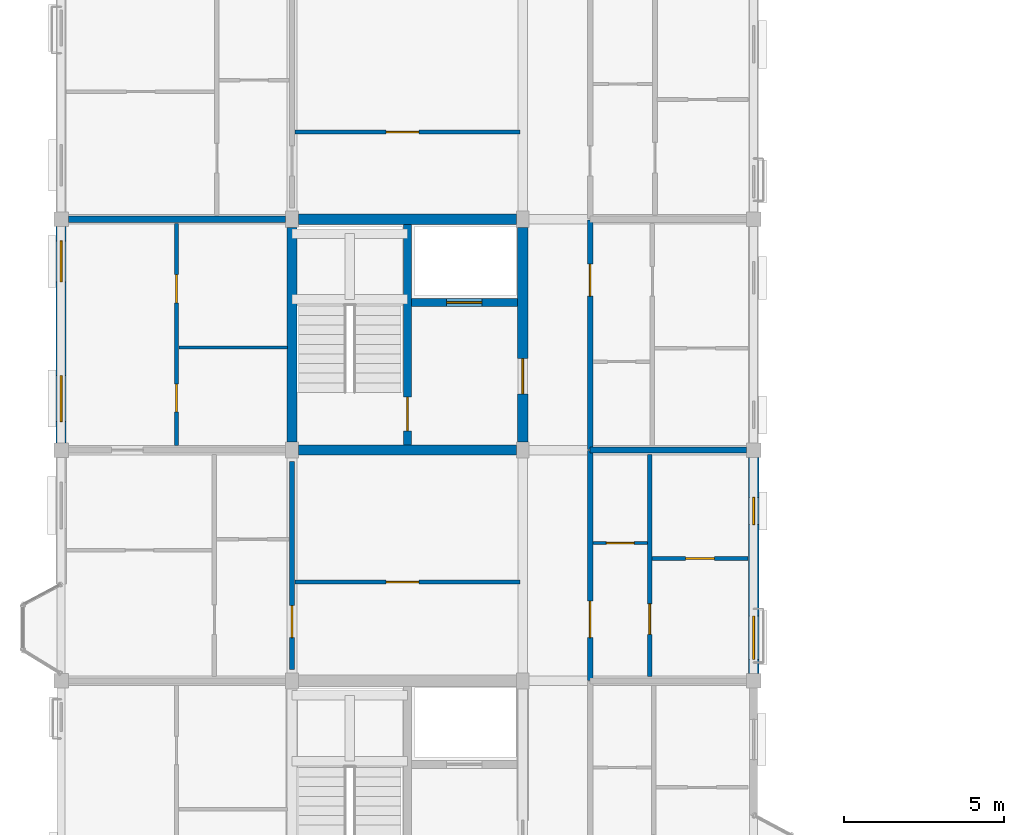
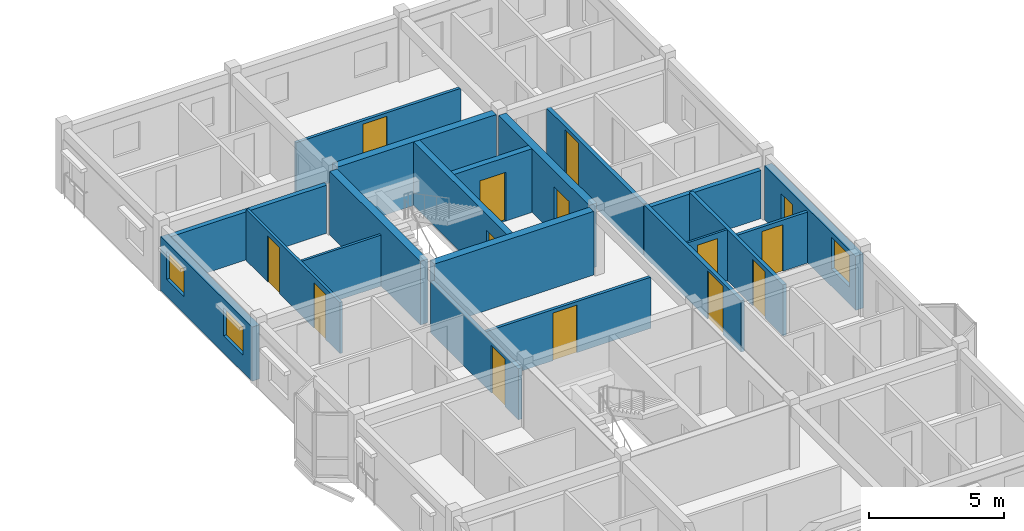
# One storey, part 18 of 28: 20 walls, 13 doors, 4 windows, 17 openings.
"""IFC4 building model written with IfcOpenShell, lengths in metres."""

from ifc_helpers import new_model, si_unit, direction, frame, frame_2d, origin, place, context, subcontext, project, spatial, rectangle, extrude, material, layer, layer_set, type_object, element, fill, save


model = new_model("IFC4")

# Units and contexts
model_context = context("Model", 3, precision=1e-05, world=origin(), true_north=direction((0.0, 1.0)))
body_context = subcontext(model_context, "Body", "Model", "MODEL_VIEW")
ifc_project = project(units=[si_unit("LENGTHUNIT", "METRE"), si_unit("AREAUNIT", "SQUARE_METRE"), si_unit("VOLUMEUNIT", "CUBIC_METRE"), si_unit("PLANEANGLEUNIT", "RADIAN"), si_unit("MASSUNIT", "GRAM", prefix="KILO"), si_unit("THERMODYNAMICTEMPERATUREUNIT", "KELVIN"), si_unit("POWERUNIT", "WATT")], contexts=[model_context])

# Site, building, storey
site_placement = place(None, origin())
site = spatial("IfcSite", under=ifc_project, at=site_placement, CompositionType="ELEMENT")
building_placement = place(site_placement, origin())
building = spatial("IfcBuilding", under=site, at=building_placement, Name="Tavuni Mirador Residences", CompositionType="ELEMENT")
storey_placement = place(building_placement, frame((0.0, 0.0, 39.14990234375)))
storey = spatial("IfcBuildingStorey", under=building, at=storey_placement, Name="L12", CompositionType="ELEMENT", Elevation=39.14990234375)

# Wall, opening, door
ifc_material_1 = material(Name="Precast concrete C40/50", Category="concrete")
ifc_layer_1 = layer(ifc_material_1, 0.25, Name="Precast concrete C40/50", Category="concrete")
ifc_layer_set_1 = layer_set([ifc_layer_1], Name="Precast concrete C40/50")
wall_type_1 = type_object("IfcWallType", Name="WT-COR250", PredefinedType="SHEAR", material=ifc_layer_set_1)
wall_1_placement = place(storey_placement, frame((14.39990234375, 28.9599609375, 0.0), z_axis=(0.0, 0.0, 1.0), x_axis=(0.0, 1.0, 0.0)))
wall_1 = element("IfcWall", 1, at=wall_1_placement, inside=storey, type_object=wall_type_1, Name="CWALL-C2-L12-MID", PredefinedType="SHEAR", context=body_context, shape_type="SweptSolid", body=[
    extrude(rectangle(XDim=6.880126953125, YDim=0.25, at=frame_2d((3.43994140625, 0.0))), origin(), (0.0, 0.0, 1.0), 2.8701171875),
])
opening_1_placement = place(wall_1_placement, frame((0.43994140625, 0.0, 0.0)))
opening_1 = element("IfcOpeningElement", 2, at=opening_1_placement, cuts=wall_1, Name="Opening D-01", PredefinedType="OPENING", context=body_context, shape_type="SweptSolid", body=[
    extrude(rectangle(XDim=1.050048828125, YDim=2.14990234375, at=frame_2d((0.52490234375, 1.074951171875))), frame((0.0, 0.135009765625, 0.0), z_axis=(0.0, -1.0, 0.0), x_axis=(1.0, 0.0, 0.0)), (0.0, 0.0, 1.0), 0.27001953125),
])
ifc_material_2 = material(Name="Solid core iroko timber", Category="wood")
door_type_1 = type_object("IfcDoorType", Name="DT-ST1050", OperationType="NOTDEFINED", PredefinedType="DOOR", material=ifc_material_2)
door_1_placement = place(opening_1_placement, origin())
door_1 = element("IfcDoor", 3, at=door_1_placement, inside=storey, type_object=door_type_1, Name="DR-2096", OperationType="SINGLE_SWING_RIGHT", OverallHeight=2.14990234375, OverallWidth=1.050048828125, PredefinedType="DOOR", context=body_context, shape_type="SweptSolid", body=[
    extrude(rectangle(XDim=1.050048828125, YDim=2.14990234375, at=frame_2d((0.52490234375, 1.074951171875))), frame((0.0, 0.02490234375, 0.0), z_axis=(0.0, -1.0, 0.0), x_axis=(1.0, 0.0, 0.0)), (0.0, 0.0, 1.0), 0.050048828125),
])
fill(opening_1, door_1)

wall_2_placement = place(storey_placement, frame((14.52490234375, 33.39990234375, 0.0), z_axis=(0.0, 0.0, 1.0), x_axis=(1.0, 0.0, 0.0)))
wall_2 = element("IfcWall", 4, at=wall_2_placement, inside=storey, type_object=wall_type_1, Name="CWALL-C2-L12-SHF", PredefinedType="SHEAR", context=body_context, shape_type="SweptSolid", body=[
    extrude(rectangle(XDim=3.315185546875, YDim=0.25, at=frame_2d((1.65771484375, 0.0))), origin(), (0.0, 0.0, 1.0), 2.8701171875),
])
opening_2_placement = place(wall_2_placement, frame((1.10009765625, 0.0, 0.0)))
opening_2 = element("IfcOpeningElement", 5, at=opening_2_placement, cuts=wall_2, Name="Opening LD-01", PredefinedType="OPENING", context=body_context, shape_type="SweptSolid", body=[
    extrude(rectangle(XDim=1.10009765625, YDim=2.199951171875, at=frame_2d((0.550048828125, 1.10009765625))), frame((0.0, 0.135009765625, 0.0), z_axis=(0.0, -1.0, 0.0), x_axis=(1.0, 0.0, 0.0)), (0.0, 0.0, 1.0), 0.27001953125),
])
ifc_material_3 = material(Name="Structural steel S355", Category="steel")
door_type_2 = type_object("IfcDoorType", Name="DT-LD-FF", OperationType="SLIDING_TO_LEFT", PredefinedType="DOOR", material=ifc_material_3)
door_2_placement = place(opening_2_placement, origin())
door_2 = element("IfcDoor", 6, at=door_2_placement, inside=storey, type_object=door_type_2, Name="Lift landing door FL-A2 L12", OperationType="SLIDING_TO_LEFT", OverallHeight=2.199951171875, OverallWidth=1.10009765625, PredefinedType="DOOR", context=body_context, shape_type="SweptSolid", body=[
    extrude(rectangle(XDim=1.10009765625, YDim=2.199951171875, at=frame_2d((0.550048828125, 1.10009765625))), frame((0.0, 0.02490234375, 0.0), z_axis=(0.0, -1.0, 0.0), x_axis=(1.0, 0.0, 0.0)), (0.0, 0.0, 1.0), 0.050048828125),
])
fill(opening_2, door_2)

# Walls
ifc_layer_2 = layer(ifc_material_1, 0.320068359375, Name="Precast concrete C40/50", Category="concrete")
ifc_layer_set_2 = layer_set([ifc_layer_2], Name="Precast concrete C40/50")
wall_type_2 = type_object("IfcWallType", Name="WT-COR320", PredefinedType="SHEAR", material=ifc_layer_set_2)
wall_3_placement = place(storey_placement, frame((10.800048828125, 29.050048828125, 0.0), z_axis=(0.0, 0.0, 1.0), x_axis=(0.0, 1.0, 0.0)))
element("IfcWall", 7, at=wall_3_placement, inside=storey, type_object=wall_type_2, Name="CWALL-C2-L12-W", PredefinedType="SHEAR", context=body_context, shape_type="SweptSolid", body=[
    extrude(rectangle(XDim=6.699951171875, YDim=0.320068359375, at=frame_2d((3.35009765625, 0.0))), origin(), (0.0, 0.0, 1.0), 2.8701171875),
])
wall_4_placement = place(storey_placement, frame((11.0, 36.0, 0.0), z_axis=(0.0, 0.0, 1.0), x_axis=(1.0, 0.0, 0.0)))
element("IfcWall", 8, at=wall_4_placement, inside=storey, type_object=wall_type_2, Name="CWALL-C2-L12-N", PredefinedType="SHEAR", context=body_context, shape_type="SweptSolid", body=[
    extrude(rectangle(XDim=6.800048828125, YDim=0.320068359375, at=frame_2d((3.39990234375, 0.0))), origin(), (0.0, 0.0, 1.0), 2.8701171875),
])

# Wall, opening, door
wall_5_placement = place(storey_placement, frame((18.0, 29.050048828125, 0.0), z_axis=(0.0, 0.0, 1.0), x_axis=(0.0, 1.0, 0.0)))
wall_5 = element("IfcWall", 9, at=wall_5_placement, inside=storey, type_object=wall_type_2, Name="CWALL-C2-L12-E", PredefinedType="SHEAR", context=body_context, shape_type="SweptSolid", body=[
    extrude(rectangle(XDim=6.699951171875, YDim=0.320068359375, at=frame_2d((3.35009765625, 0.0))), origin(), (0.0, 0.0, 1.0), 2.8701171875),
])
opening_3_placement = place(wall_5_placement, frame((1.5, 0.0, 0.0)))
opening_3 = element("IfcOpeningElement", 10, at=opening_3_placement, cuts=wall_5, Name="Opening D-02", PredefinedType="OPENING", context=body_context, shape_type="SweptSolid", body=[
    extrude(rectangle(XDim=1.10009765625, YDim=2.14990234375, at=frame_2d((0.550048828125, 1.074951171875))), frame((0.0, 0.169921875, 0.0), z_axis=(0.0, -1.0, 0.0), x_axis=(1.0, 0.0, 0.0)), (0.0, 0.0, 1.0), 0.340087890625),
])
door_type_3 = type_object("IfcDoorType", Name="DT-LOB1100", OperationType="NOTDEFINED", PredefinedType="DOOR", material=ifc_material_2)
door_3_placement = place(opening_3_placement, frame((1.10009765625, 0.0, 0.0), z_axis=(0.0, 0.0, 1.0), x_axis=(-1.0, 0.0, 0.0)))
door_3 = element("IfcDoor", 11, at=door_3_placement, inside=storey, type_object=door_type_3, Name="DR-2095", OperationType="SINGLE_SWING_RIGHT", OverallHeight=2.14990234375, OverallWidth=1.10009765625, PredefinedType="DOOR", context=body_context, shape_type="SweptSolid", body=[
    extrude(rectangle(XDim=1.10009765625, YDim=2.14990234375, at=frame_2d((0.550048828125, 1.074951171875))), frame((0.0, 0.02490234375, 0.0), z_axis=(0.0, -1.0, 0.0), x_axis=(1.0, 0.0, 0.0)), (0.0, 0.0, 1.0), 0.050048828125),
])
fill(opening_3, door_3)

# Wall
wall_6_placement = place(storey_placement, frame((11.0, 28.800048828125, 0.0), z_axis=(0.0, 0.0, 1.0), x_axis=(1.0, 0.0, 0.0)))
element("IfcWall", 12, at=wall_6_placement, inside=storey, type_object=wall_type_2, Name="CWALL-C2-L12-SS", PredefinedType="SHEAR", context=body_context, shape_type="SweptSolid", body=[
    extrude(rectangle(XDim=6.800048828125, YDim=0.320068359375, at=frame_2d((3.39990234375, 0.0))), origin(), (0.0, 0.0, 1.0), 2.8701171875),
])

# Wall, opening, door
ifc_layer_3 = layer(ifc_material_1, 0.1650390625, Name="Precast concrete C40/50", Category="concrete")
ifc_layer_set_3 = layer_set([ifc_layer_3], Name="Precast concrete C40/50")
wall_type_3 = type_object("IfcWallType", Name="WT-CORR165", PredefinedType="PARTITIONING", material=ifc_layer_set_3)
wall_7_placement = place(storey_placement, frame((20.10009765625, 21.6201171875, 0.0), z_axis=(0.0, 0.0, 1.0), x_axis=(0.0, 1.0, 0.0)))
wall_7 = element("IfcWall", 13, at=wall_7_placement, inside=storey, type_object=wall_type_3, Name="CORW-BLK-A-L12-0-02", PredefinedType="PARTITIONING", context=body_context, shape_type="SweptSolid", body=[
    extrude(rectangle(XDim=7.159912109375, YDim=0.1650390625, at=frame_2d((3.580078125, 0.0))), origin(), (0.0, 0.0, 1.0), 2.30517578125),
])
opening_4_placement = place(wall_7_placement, frame((1.330078125, 0.0, 0.0)))
opening_4 = element("IfcOpeningElement", 14, at=opening_4_placement, cuts=wall_7, Name="Opening D-20", PredefinedType="OPENING", context=body_context, shape_type="SweptSolid", body=[
    extrude(rectangle(XDim=1.139892578125, YDim=2.179931640625, at=frame_2d((0.56982421875, 1.08984375))), frame((0.0, 0.092529296875, 0.0), z_axis=(0.0, -1.0, 0.0), x_axis=(1.0, 0.0, 0.0)), (0.0, 0.0, 1.0), 0.18505859375),
])
door_type_4 = type_object("IfcDoorType", Name="DT-FD60-1140", OperationType="NOTDEFINED", PredefinedType="DOOR", material=ifc_material_2)
door_4_placement = place(opening_4_placement, origin())
door_4 = element("IfcDoor", 15, at=door_4_placement, inside=storey, type_object=door_type_4, Name="DR-2495", OperationType="SINGLE_SWING_RIGHT", OverallHeight=2.179931640625, OverallWidth=1.139892578125, PredefinedType="DOOR", context=body_context, shape_type="SweptSolid", body=[
    extrude(rectangle(XDim=1.139892578125, YDim=2.179931640625, at=frame_2d((0.56982421875, 1.08984375))), frame((0.0, 0.02490234375, 0.0), z_axis=(0.0, -1.0, 0.0), x_axis=(1.0, 0.0, 0.0)), (0.0, 0.0, 1.0), 0.050048828125),
])
fill(opening_4, door_4)

wall_8_placement = place(storey_placement, frame((20.10009765625, 28.820068359375, 0.0), z_axis=(0.0, 0.0, 1.0), x_axis=(0.0, 1.0, 0.0)))
wall_8 = element("IfcWall", 16, at=wall_8_placement, inside=storey, type_object=wall_type_3, Name="CORW-BLK-A-L12-0-03", PredefinedType="PARTITIONING", context=body_context, shape_type="SweptSolid", body=[
    extrude(rectangle(XDim=7.159912109375, YDim=0.1650390625, at=frame_2d((3.580078125, 0.0))), origin(), (0.0, 0.0, 1.0), 2.30517578125),
])
opening_5_placement = place(wall_8_placement, frame((4.780029296875, 0.0, 0.0)))
opening_5 = element("IfcOpeningElement", 17, at=opening_5_placement, cuts=wall_8, Name="Opening D-03", PredefinedType="OPENING", context=body_context, shape_type="SweptSolid", body=[
    extrude(rectangle(XDim=1.0, YDim=2.14990234375, at=frame_2d((0.5, 1.074951171875))), frame((0.0, 0.092529296875, 0.0), z_axis=(0.0, -1.0, 0.0), x_axis=(1.0, 0.0, 0.0)), (0.0, 0.0, 1.0), 0.18505859375),
])
door_type_5 = type_object("IfcDoorType", Name="DT-FD60-1000", OperationType="NOTDEFINED", PredefinedType="DOOR", material=ifc_material_2)
door_5_placement = place(opening_5_placement, origin())
door_5 = element("IfcDoor", 18, at=door_5_placement, inside=storey, type_object=door_type_5, Name="DR-2496", OperationType="SINGLE_SWING_LEFT", OverallHeight=2.14990234375, OverallWidth=1.0, PredefinedType="DOOR", context=body_context, shape_type="SweptSolid", body=[
    extrude(rectangle(XDim=1.0, YDim=2.14990234375, at=frame_2d((0.5, 1.074951171875))), frame((0.0, 0.02490234375, 0.0), z_axis=(0.0, -1.0, 0.0), x_axis=(1.0, 0.0, 0.0)), (0.0, 0.0, 1.0), 0.050048828125),
])
fill(opening_5, door_5)

wall_9_placement = place(storey_placement, frame((10.800048828125, 21.949951171875, 0.0), z_axis=(0.0, 0.0, 1.0), x_axis=(0.0, 1.0, 0.0)))
wall_9 = element("IfcWall", 19, at=wall_9_placement, inside=storey, type_object=wall_type_3, Name="CORW-BLK-A-L12-1-02", PredefinedType="PARTITIONING", context=body_context, shape_type="SweptSolid", body=[
    extrude(rectangle(XDim=6.5, YDim=0.1650390625, at=frame_2d((3.25, 0.0))), origin(), (0.0, 0.0, 1.0), 2.30517578125),
])
opening_6_placement = place(wall_9_placement, frame((1.0, 0.0, 0.0)))
opening_6 = element("IfcOpeningElement", 20, at=opening_6_placement, cuts=wall_9, Name="Opening D-03", PredefinedType="OPENING", context=body_context, shape_type="SweptSolid", body=[
    extrude(rectangle(XDim=1.0, YDim=2.14990234375, at=frame_2d((0.5, 1.074951171875))), frame((0.0, 0.092529296875, 0.0), z_axis=(0.0, -1.0, 0.0), x_axis=(1.0, 0.0, 0.0)), (0.0, 0.0, 1.0), 0.18505859375),
])
door_6_placement = place(opening_6_placement, origin())
door_6 = element("IfcDoor", 21, at=door_6_placement, inside=storey, type_object=door_type_5, Name="DR-2499", OperationType="SINGLE_SWING_RIGHT", OverallHeight=2.14990234375, OverallWidth=1.0, PredefinedType="DOOR", context=body_context, shape_type="SweptSolid", body=[
    extrude(rectangle(XDim=1.0, YDim=2.14990234375, at=frame_2d((0.5, 1.074951171875))), frame((0.0, 0.02490234375, 0.0), z_axis=(0.0, -1.0, 0.0), x_axis=(1.0, 0.0, 0.0)), (0.0, 0.0, 1.0), 0.050048828125),
])
fill(opening_6, door_6)

# Wall, openings, windows
ifc_layer_4 = layer(ifc_material_1, 0.330078125, Name="Precast concrete C40/50", Category="concrete")
ifc_layer_set_4 = layer_set([ifc_layer_4], Name="Precast concrete C40/50")
wall_type_4 = type_object("IfcWallType", Name="WT-EXT-COR330", PredefinedType="SOLIDWALL", material=ifc_layer_set_4)
wall_10_placement = place(storey_placement, frame((25.199951171875, 21.824951171875, 0.0), z_axis=(0.0, 0.0, 1.0), x_axis=(0.0, 1.0, 0.0)))
wall_10 = element("IfcWall", 22, at=wall_10_placement, inside=storey, type_object=wall_type_4, Name="EW-BLK-A-L12-E02", PredefinedType="SOLIDWALL", context=body_context, shape_type="SweptSolid", body=[
    extrude(rectangle(XDim=6.75, YDim=0.330078125, at=frame_2d((3.375, 0.0))), origin(), (0.0, 0.0, 1.0), 2.440185546875),
])
opening_7_placement = place(wall_10_placement, frame((0.449951171875, 0.0, 0.780029296875)))
opening_7 = element("IfcOpeningElement", 23, at=opening_7_placement, cuts=wall_10, Name="Opening WN-29", PredefinedType="OPENING", context=body_context, shape_type="SweptSolid", body=[
    extrude(rectangle(XDim=1.35009765625, YDim=1.43994140625, at=frame_2d((0.675048828125, 0.719970703125))), frame((0.0, 0.175048828125, 0.0), z_axis=(0.0, -1.0, 0.0), x_axis=(1.0, 0.0, 0.0)), (0.0, 0.0, 1.0), 0.35009765625),
])
opening_8_placement = place(wall_10_placement, frame((4.64990234375, 0.0, 0.780029296875)))
opening_8 = element("IfcOpeningElement", 24, at=opening_8_placement, cuts=wall_10, Name="Opening WN-01", PredefinedType="OPENING", context=body_context, shape_type="SweptSolid", body=[
    extrude(rectangle(XDim=0.85009765625, YDim=1.14990234375, at=frame_2d((0.425048828125, 0.574951171875))), frame((0.0, 0.175048828125, 0.0), z_axis=(0.0, -1.0, 0.0), x_axis=(1.0, 0.0, 0.0)), (0.0, 0.0, 1.0), 0.35009765625),
])
ifc_material_4 = material(Name="Laminated solar-control glass", Category="glass")
window_type_1 = type_object("IfcWindowType", Name="WNT-01", PartitioningType="SINGLE_PANEL", PredefinedType="WINDOW", material=ifc_material_4)
window_1_placement = place(opening_8_placement, origin())
window_1 = element("IfcWindow", 25, at=window_1_placement, inside=storey, type_object=window_type_1, Name="WIN-0437", OverallHeight=1.14990234375, OverallWidth=0.85009765625, PartitioningType="SINGLE_PANEL", PredefinedType="WINDOW", context=body_context, shape_type="SweptSolid", body=[
    extrude(rectangle(XDim=0.85009765625, YDim=1.14990234375, at=frame_2d((0.425048828125, 0.574951171875))), frame((0.0, 0.030029296875, 0.0), z_axis=(0.0, -1.0, 0.0), x_axis=(1.0, 0.0, 0.0)), (0.0, 0.0, 1.0), 0.06005859375),
])
fill(opening_8, window_1)
window_type_2 = type_object("IfcWindowType", Name="WNT-29", PartitioningType="SINGLE_PANEL", PredefinedType="WINDOW", material=ifc_material_4)
window_2_placement = place(opening_7_placement, origin())
window_2 = element("IfcWindow", 26, at=window_2_placement, inside=storey, type_object=window_type_2, Name="WIN-0436", OverallHeight=1.43994140625, OverallWidth=1.35009765625, PartitioningType="SINGLE_PANEL", PredefinedType="WINDOW", context=body_context, shape_type="SweptSolid", body=[
    extrude(rectangle(XDim=1.35009765625, YDim=1.43994140625, at=frame_2d((0.675048828125, 0.719970703125))), frame((0.0, 0.030029296875, 0.0), z_axis=(0.0, -1.0, 0.0), x_axis=(1.0, 0.0, 0.0)), (0.0, 0.0, 1.0), 0.06005859375),
])
fill(opening_7, window_2)

ifc_material_5 = material(Name="Sgraffito lime-rendered precast concrete C40/50", Category="concrete")
ifc_layer_5 = layer(ifc_material_5, 0.31494140625, Name="Sgraffito lime-rendered precast concrete C40/50", Category="concrete")
ifc_layer_set_5 = layer_set([ifc_layer_5], Name="Sgraffito lime-rendered precast concrete C40/50")
wall_type_5 = type_object("IfcWallType", Name="WT-EXT-PC315", PredefinedType="SOLIDWALL", material=ifc_layer_set_5)
wall_11_placement = place(storey_placement, frame((3.60009765625, 35.77490234375, 0.0), z_axis=(0.0, 0.0, 1.0), x_axis=(0.0, -1.0, 0.0)))
wall_11 = element("IfcWall", 27, at=wall_11_placement, inside=storey, type_object=wall_type_5, Name="EW-BLK-A-L12-W03", PredefinedType="SOLIDWALL", context=body_context, shape_type="SweptSolid", body=[
    extrude(rectangle(XDim=6.75, YDim=0.31494140625, at=frame_2d((3.375, 0.0))), origin(), (0.0, 0.0, 1.0), 2.440185546875),
])
opening_9_placement = place(wall_11_placement, frame((0.449951171875, 0.0, 0.780029296875)))
opening_9 = element("IfcOpeningElement", 28, at=opening_9_placement, cuts=wall_11, Name="Opening WN-14", PredefinedType="OPENING", context=body_context, shape_type="SweptSolid", body=[
    extrude(rectangle(XDim=1.280029296875, YDim=1.260009765625, at=frame_2d((0.64013671875, 0.6298828125))), frame((0.0, 0.16748046875, 0.0), z_axis=(0.0, -1.0, 0.0), x_axis=(1.0, 0.0, 0.0)), (0.0, 0.0, 1.0), 0.3349609375),
])
opening_10_placement = place(wall_11_placement, frame((4.64990234375, 0.0, 0.780029296875)))
opening_10 = element("IfcOpeningElement", 29, at=opening_10_placement, cuts=wall_11, Name="Opening WN-16", PredefinedType="OPENING", context=body_context, shape_type="SweptSolid", body=[
    extrude(rectangle(XDim=1.43994140625, YDim=1.260009765625, at=frame_2d((0.719970703125, 0.6298828125))), frame((0.0, 0.16748046875, 0.0), z_axis=(0.0, -1.0, 0.0), x_axis=(1.0, 0.0, 0.0)), (0.0, 0.0, 1.0), 0.3349609375),
])
window_type_3 = type_object("IfcWindowType", Name="WNT-14", PartitioningType="SINGLE_PANEL", PredefinedType="WINDOW", material=ifc_material_4)
window_3_placement = place(opening_9_placement, origin())
window_3 = element("IfcWindow", 30, at=window_3_placement, inside=storey, type_object=window_type_3, Name="WIN-0451", OverallHeight=1.260009765625, OverallWidth=1.280029296875, PartitioningType="SINGLE_PANEL", PredefinedType="WINDOW", context=body_context, shape_type="SweptSolid", body=[
    extrude(rectangle(XDim=1.280029296875, YDim=1.260009765625, at=frame_2d((0.64013671875, 0.6298828125))), frame((0.0, 0.030029296875, 0.0), z_axis=(0.0, -1.0, 0.0), x_axis=(1.0, 0.0, 0.0)), (0.0, 0.0, 1.0), 0.06005859375),
])
fill(opening_9, window_3)
window_type_4 = type_object("IfcWindowType", Name="WNT-16", PartitioningType="SINGLE_PANEL", PredefinedType="WINDOW", material=ifc_material_4)
window_4_placement = place(opening_10_placement, origin())
window_4 = element("IfcWindow", 31, at=window_4_placement, inside=storey, type_object=window_type_4, Name="WIN-0452", OverallHeight=1.260009765625, OverallWidth=1.43994140625, PartitioningType="SINGLE_PANEL", PredefinedType="WINDOW", context=body_context, shape_type="SweptSolid", body=[
    extrude(rectangle(XDim=1.43994140625, YDim=1.260009765625, at=frame_2d((0.719970703125, 0.6298828125))), frame((0.0, 0.030029296875, 0.0), z_axis=(0.0, -1.0, 0.0), x_axis=(1.0, 0.0, 0.0)), (0.0, 0.0, 1.0), 0.06005859375),
])
fill(opening_10, window_4)

# Wall, opening, door
ifc_material_6 = material(Name="Acoustic gypsum and concrete block partition", Category="concrete")
ifc_layer_6 = layer(ifc_material_6, 0.094970703125, Name="Acoustic gypsum and concrete block partition", Category="concrete")
ifc_layer_set_6 = layer_set([ifc_layer_6], Name="Acoustic gypsum and concrete block partition")
wall_type_6 = type_object("IfcWallType", Name="WT-PART095", PredefinedType="PARTITIONING", material=ifc_layer_set_6)
wall_12_placement = place(storey_placement, frame((20.18994140625, 25.89990234375, 0.0), z_axis=(0.0, 0.0, 1.0), x_axis=(1.0, 0.0, 0.0)))
wall_12 = element("IfcWall", 32, at=wall_12_placement, inside=storey, type_object=wall_type_6, Name="PW-BLK-A-L12-E02-IN1", PredefinedType="PARTITIONING", context=body_context, shape_type="SweptSolid", body=[
    extrude(rectangle(XDim=1.699951171875, YDim=0.094970703125, at=frame_2d((0.85009765625, 0.0))), origin(), (0.0, 0.0, 1.0), 2.30517578125),
])
opening_11_placement = place(wall_12_placement, frame((0.4150390625, 0.0, 0.0)))
opening_11 = element("IfcOpeningElement", 33, at=opening_11_placement, cuts=wall_12, Name="Opening D-10", PredefinedType="OPENING", context=body_context, shape_type="SweptSolid", body=[
    extrude(rectangle(XDim=0.8701171875, YDim=2.050048828125, at=frame_2d((0.43505859375, 1.02490234375))), frame((0.0, 0.0576171875, 0.0), z_axis=(0.0, -1.0, 0.0), x_axis=(1.0, 0.0, 0.0)), (0.0, 0.0, 1.0), 0.114990234375),
])
door_type_6 = type_object("IfcDoorType", Name="DT-WC870", OperationType="NOTDEFINED", PredefinedType="DOOR", material=ifc_material_2)
door_7_placement = place(opening_11_placement, origin())
door_7 = element("IfcDoor", 34, at=door_7_placement, inside=storey, type_object=door_type_6, Name="DR-3333", OperationType="SINGLE_SWING_RIGHT", OverallHeight=2.050048828125, OverallWidth=0.8701171875, PredefinedType="DOOR", context=body_context, shape_type="SweptSolid", body=[
    extrude(rectangle(XDim=0.8701171875, YDim=2.050048828125, at=frame_2d((0.43505859375, 1.02490234375))), frame((0.0, 0.02490234375, 0.0), z_axis=(0.0, -1.0, 0.0), x_axis=(1.0, 0.0, 0.0)), (0.0, 0.0, 1.0), 0.050048828125),
])
fill(opening_11, door_7)

# Wall
ifc_layer_7 = layer(ifc_material_6, 0.10498046875, Name="Acoustic gypsum and concrete block partition", Category="concrete")
ifc_layer_set_7 = layer_set([ifc_layer_7], Name="Acoustic gypsum and concrete block partition")
wall_type_7 = type_object("IfcWallType", Name="WT-PART105", PredefinedType="PARTITIONING", material=ifc_layer_set_7)
wall_13_placement = place(storey_placement, frame((7.27001953125, 32.0, 0.0), z_axis=(0.0, 0.0, 1.0), x_axis=(1.0, 0.0, 0.0)))
element("IfcWall", 35, at=wall_13_placement, inside=storey, type_object=wall_type_7, Name="PW-BLK-A-L12-WC03-H", PredefinedType="PARTITIONING", context=body_context, shape_type="SweptSolid", body=[
    extrude(rectangle(XDim=3.389892578125, YDim=0.10498046875, at=frame_2d((1.69482421875, 0.0))), origin(), (0.0, 0.0, 1.0), 2.30517578125),
])

# Wall, openings, doors
ifc_layer_8 = layer(ifc_material_6, 0.114990234375, Name="Acoustic gypsum and concrete block partition", Category="concrete")
ifc_layer_set_8 = layer_set([ifc_layer_8], Name="Acoustic gypsum and concrete block partition")
wall_type_8 = type_object("IfcWallType", Name="WT-PART115", PredefinedType="PARTITIONING", material=ifc_layer_set_8)
wall_14_placement = place(storey_placement, frame((7.199951171875, 28.93994140625, 0.0), z_axis=(0.0, 0.0, 1.0), x_axis=(0.0, 1.0, 0.0)))
wall_14 = element("IfcWall", 36, at=wall_14_placement, inside=storey, type_object=wall_type_8, Name="PW-BLK-A-L12-WC03-M", PredefinedType="PARTITIONING", context=body_context, shape_type="SweptSolid", body=[
    extrude(rectangle(XDim=6.920166015625, YDim=0.114990234375, at=frame_2d((3.4599609375, 0.0))), origin(), (0.0, 0.0, 1.0), 2.30517578125),
])
opening_12_placement = place(wall_14_placement, frame((1.050048828125, 0.0, 0.0)))
opening_12 = element("IfcOpeningElement", 37, at=opening_12_placement, cuts=wall_14, Name="Opening D-10", PredefinedType="OPENING", context=body_context, shape_type="SweptSolid", body=[
    extrude(rectangle(XDim=0.8701171875, YDim=2.050048828125, at=frame_2d((0.43505859375, 1.02490234375))), frame((0.0, 0.0673828125, 0.0), z_axis=(0.0, -1.0, 0.0), x_axis=(1.0, 0.0, 0.0)), (0.0, 0.0, 1.0), 0.135009765625),
])
opening_13_placement = place(wall_14_placement, frame((4.449951171875, 0.0, 0.0)))
opening_13 = element("IfcOpeningElement", 38, at=opening_13_placement, cuts=wall_14, Name="Opening D-08", PredefinedType="OPENING", context=body_context, shape_type="SweptSolid", body=[
    extrude(rectangle(XDim=0.8798828125, YDim=2.080078125, at=frame_2d((0.43994140625, 1.0400390625))), frame((0.0, 0.0673828125, 0.0), z_axis=(0.0, -1.0, 0.0), x_axis=(1.0, 0.0, 0.0)), (0.0, 0.0, 1.0), 0.135009765625),
])
door_type_7 = type_object("IfcDoorType", Name="DT-BED880", OperationType="NOTDEFINED", PredefinedType="DOOR", material=ifc_material_2)
door_8_placement = place(opening_13_placement, origin())
door_8 = element("IfcDoor", 39, at=door_8_placement, inside=storey, type_object=door_type_7, Name="DR-3336", OperationType="SINGLE_SWING_LEFT", OverallHeight=2.080078125, OverallWidth=0.8798828125, PredefinedType="DOOR", context=body_context, shape_type="SweptSolid", body=[
    extrude(rectangle(XDim=0.8798828125, YDim=2.080078125, at=frame_2d((0.43994140625, 1.0400390625))), frame((0.0, 0.02490234375, 0.0), z_axis=(0.0, -1.0, 0.0), x_axis=(1.0, 0.0, 0.0)), (0.0, 0.0, 1.0), 0.050048828125),
])
fill(opening_13, door_8)
door_9_placement = place(opening_12_placement, origin())
door_9 = element("IfcDoor", 40, at=door_9_placement, inside=storey, type_object=door_type_6, Name="DR-3335", OperationType="SINGLE_SWING_RIGHT", OverallHeight=2.050048828125, OverallWidth=0.8701171875, PredefinedType="DOOR", context=body_context, shape_type="SweptSolid", body=[
    extrude(rectangle(XDim=0.8701171875, YDim=2.050048828125, at=frame_2d((0.43505859375, 1.02490234375))), frame((0.0, 0.02490234375, 0.0), z_axis=(0.0, -1.0, 0.0), x_axis=(1.0, 0.0, 0.0)), (0.0, 0.0, 1.0), 0.050048828125),
])
fill(opening_12, door_9)

# Wall, opening, door
ifc_layer_9 = layer(ifc_material_6, 0.125, Name="Acoustic gypsum and concrete block partition", Category="concrete")
ifc_layer_set_9 = layer_set([ifc_layer_9], Name="Acoustic gypsum and concrete block partition")
wall_type_9 = type_object("IfcWallType", Name="WT-PART125", PredefinedType="PARTITIONING", material=ifc_layer_set_9)
wall_15_placement = place(storey_placement, frame((10.889892578125, 24.679931640625, 0.0), z_axis=(0.0, 0.0, 1.0), x_axis=(1.0, 0.0, 0.0)))
wall_15 = element("IfcWall", 41, at=wall_15_placement, inside=storey, type_object=wall_type_9, Name="PW-SPN-BLK-A-L12-02", PredefinedType="PARTITIONING", context=body_context, shape_type="SweptSolid", body=[
    extrude(rectangle(XDim=7.02001953125, YDim=0.125, at=frame_2d((3.510009765625, 0.0))), origin(), (0.0, 0.0, 1.0), 2.30517578125),
])
opening_14_placement = place(wall_15_placement, frame((2.85009765625, 0.0, 0.0)))
opening_14 = element("IfcOpeningElement", 42, at=opening_14_placement, cuts=wall_15, Name="Opening D-13", PredefinedType="OPENING", context=body_context, shape_type="SweptSolid", body=[
    extrude(rectangle(XDim=1.02001953125, YDim=2.14990234375, at=frame_2d((0.510009765625, 1.074951171875))), frame((0.0, 0.072509765625, 0.0), z_axis=(0.0, -1.0, 0.0), x_axis=(1.0, 0.0, 0.0)), (0.0, 0.0, 1.0), 0.14501953125),
])
door_type_8 = type_object("IfcDoorType", Name="DT-MTG1020", OperationType="NOTDEFINED", PredefinedType="DOOR", material=ifc_material_2)
door_10_placement = place(opening_14_placement, origin())
door_10 = element("IfcDoor", 43, at=door_10_placement, inside=storey, type_object=door_type_8, Name="DR-3328", OperationType="SINGLE_SWING_LEFT", OverallHeight=2.14990234375, OverallWidth=1.02001953125, PredefinedType="DOOR", context=body_context, shape_type="SweptSolid", body=[
    extrude(rectangle(XDim=1.02001953125, YDim=2.14990234375, at=frame_2d((0.510009765625, 1.074951171875))), frame((0.0, 0.02490234375, 0.0), z_axis=(0.0, -1.0, 0.0), x_axis=(1.0, 0.0, 0.0)), (0.0, 0.0, 1.0), 0.050048828125),
])
fill(opening_14, door_10)

wall_16_placement = place(storey_placement, frame((22.030029296875, 25.419921875, 0.0), z_axis=(0.0, 0.0, 1.0), x_axis=(1.0, 0.0, 0.0)))
wall_16 = element("IfcWall", 44, at=wall_16_placement, inside=storey, type_object=wall_type_9, Name="PW-BLK-A-L12-E02-OUT", PredefinedType="PARTITIONING", context=body_context, shape_type="SweptSolid", body=[
    extrude(rectangle(XDim=2.994873046875, YDim=0.125, at=frame_2d((1.49755859375, 0.0))), origin(), (0.0, 0.0, 1.0), 2.30517578125),
])
opening_15_placement = place(wall_16_placement, frame((1.047607421875, 0.0, 0.0)))
opening_15 = element("IfcOpeningElement", 45, at=opening_15_placement, cuts=wall_16, Name="Opening D-07", PredefinedType="OPENING", context=body_context, shape_type="SweptSolid", body=[
    extrude(rectangle(XDim=0.89990234375, YDim=2.10009765625, at=frame_2d((0.449951171875, 1.050048828125))), frame((0.0, 0.072509765625, 0.0), z_axis=(0.0, -1.0, 0.0), x_axis=(1.0, 0.0, 0.0)), (0.0, 0.0, 1.0), 0.14501953125),
])
door_type_9 = type_object("IfcDoorType", Name="DT-BED900", OperationType="NOTDEFINED", PredefinedType="DOOR", material=ifc_material_2)
door_11_placement = place(opening_15_placement, origin())
door_11 = element("IfcDoor", 46, at=door_11_placement, inside=storey, type_object=door_type_9, Name="DR-3332", OperationType="SINGLE_SWING_LEFT", OverallHeight=2.10009765625, OverallWidth=0.89990234375, PredefinedType="DOOR", context=body_context, shape_type="SweptSolid", body=[
    extrude(rectangle(XDim=0.89990234375, YDim=2.10009765625, at=frame_2d((0.449951171875, 1.050048828125))), frame((0.0, 0.02490234375, 0.0), z_axis=(0.0, -1.0, 0.0), x_axis=(1.0, 0.0, 0.0)), (0.0, 0.0, 1.0), 0.050048828125),
])
fill(opening_15, door_11)

wall_17_placement = place(storey_placement, frame((10.889892578125, 38.719970703125, 0.0), z_axis=(0.0, 0.0, 1.0), x_axis=(1.0, 0.0, 0.0)))
wall_17 = element("IfcWall", 47, at=wall_17_placement, inside=storey, type_object=wall_type_9, Name="PW-SPN-BLK-A-L12-04", PredefinedType="PARTITIONING", context=body_context, shape_type="SweptSolid", body=[
    extrude(rectangle(XDim=7.02001953125, YDim=0.125, at=frame_2d((3.510009765625, 0.0))), origin(), (0.0, 0.0, 1.0), 2.30517578125),
])
opening_16_placement = place(wall_17_placement, frame((2.85009765625, 0.0, 0.0)))
opening_16 = element("IfcOpeningElement", 48, at=opening_16_placement, cuts=wall_17, Name="Opening D-13", PredefinedType="OPENING", context=body_context, shape_type="SweptSolid", body=[
    extrude(rectangle(XDim=1.02001953125, YDim=2.14990234375, at=frame_2d((0.510009765625, 1.074951171875))), frame((0.0, 0.072509765625, 0.0), z_axis=(0.0, -1.0, 0.0), x_axis=(1.0, 0.0, 0.0)), (0.0, 0.0, 1.0), 0.14501953125),
])
door_12_placement = place(opening_16_placement, origin())
door_12 = element("IfcDoor", 49, at=door_12_placement, inside=storey, type_object=door_type_8, Name="DR-3340", OperationType="SINGLE_SWING_LEFT", OverallHeight=2.14990234375, OverallWidth=1.02001953125, PredefinedType="DOOR", context=body_context, shape_type="SweptSolid", body=[
    extrude(rectangle(XDim=1.02001953125, YDim=2.14990234375, at=frame_2d((0.510009765625, 1.074951171875))), frame((0.0, 0.02490234375, 0.0), z_axis=(0.0, -1.0, 0.0), x_axis=(1.0, 0.0, 0.0)), (0.0, 0.0, 1.0), 0.050048828125),
])
fill(opening_16, door_12)

ifc_layer_10 = layer(ifc_material_6, 0.14990234375, Name="Acoustic gypsum and concrete block partition", Category="concrete")
ifc_layer_set_10 = layer_set([ifc_layer_10], Name="Acoustic gypsum and concrete block partition")
wall_type_10 = type_object("IfcWallType", Name="WT-PART150", PredefinedType="PARTITIONING", material=ifc_layer_set_10)
wall_18_placement = place(storey_placement, frame((21.9599609375, 21.739990234375, 0.0), z_axis=(0.0, 0.0, 1.0), x_axis=(0.0, 1.0, 0.0)))
wall_18 = element("IfcWall", 50, at=wall_18_placement, inside=storey, type_object=wall_type_10, Name="PW-BLK-A-L12-E02-MID", PredefinedType="PARTITIONING", context=body_context, shape_type="SweptSolid", body=[
    extrude(rectangle(XDim=6.919921875, YDim=0.14990234375, at=frame_2d((3.4599609375, 0.0))), origin(), (0.0, 0.0, 1.0), 2.30517578125),
])
opening_17_placement = place(wall_18_placement, frame((1.31005859375, 0.0, 0.0)))
opening_17 = element("IfcOpeningElement", 51, at=opening_17_placement, cuts=wall_18, Name="Opening D-05", PredefinedType="OPENING", context=body_context, shape_type="SweptSolid", body=[
    extrude(rectangle(XDim=0.949951171875, YDim=2.10009765625, at=frame_2d((0.47509765625, 1.050048828125))), frame((0.0, 0.0849609375, 0.0), z_axis=(0.0, -1.0, 0.0), x_axis=(1.0, 0.0, 0.0)), (0.0, 0.0, 1.0), 0.169921875),
])
door_type_10 = type_object("IfcDoorType", Name="DT-INT950", OperationType="NOTDEFINED", PredefinedType="DOOR", material=ifc_material_2)
door_13_placement = place(opening_17_placement, origin())
door_13 = element("IfcDoor", 52, at=door_13_placement, inside=storey, type_object=door_type_10, Name="DR-3334", OperationType="SINGLE_SWING_LEFT", OverallHeight=2.10009765625, OverallWidth=0.949951171875, PredefinedType="DOOR", context=body_context, shape_type="SweptSolid", body=[
    extrude(rectangle(XDim=0.949951171875, YDim=2.10009765625, at=frame_2d((0.47509765625, 1.050048828125))), frame((0.0, 0.02490234375, 0.0), z_axis=(0.0, -1.0, 0.0), x_axis=(1.0, 0.0, 0.0)), (0.0, 0.0, 1.0), 0.050048828125),
])
fill(opening_17, door_13)

# Walls
ifc_layer_11 = layer(ifc_material_1, 0.195068359375, Name="Precast concrete C40/50", Category="concrete")
ifc_layer_set_11 = layer_set([ifc_layer_11], Name="Precast concrete C40/50")
wall_type_11 = type_object("IfcWallType", Name="WT-XW195", PredefinedType="SOLIDWALL", material=ifc_layer_set_11)
wall_19_placement = place(storey_placement, frame((20.10009765625, 28.800048828125, 0.0), z_axis=(0.0, 0.0, 1.0), x_axis=(1.0, 0.0, 0.0)))
element("IfcWall", 53, at=wall_19_placement, inside=storey, type_object=wall_type_11, Name="XW-BLK-A-L12-E-03", PredefinedType="SOLIDWALL", context=body_context, shape_type="SweptSolid", body=[
    extrude(rectangle(XDim=4.875, YDim=0.195068359375, at=frame_2d((2.4375, 0.0))), origin(), (0.0, 0.0, 1.0), 2.170166015625),
])
wall_20_placement = place(storey_placement, frame((3.824951171875, 36.0, 0.0), z_axis=(0.0, 0.0, 1.0), x_axis=(1.0, 0.0, 0.0)))
element("IfcWall", 54, at=wall_20_placement, inside=storey, type_object=wall_type_11, Name="XW-BLK-A-L12-W-04", PredefinedType="SOLIDWALL", context=body_context, shape_type="SweptSolid", body=[
    extrude(rectangle(XDim=6.775146484375, YDim=0.195068359375, at=frame_2d((3.3876953125, 0.0))), origin(), (0.0, 0.0, 1.0), 2.170166015625),
])

save(model, "model.ifc")
